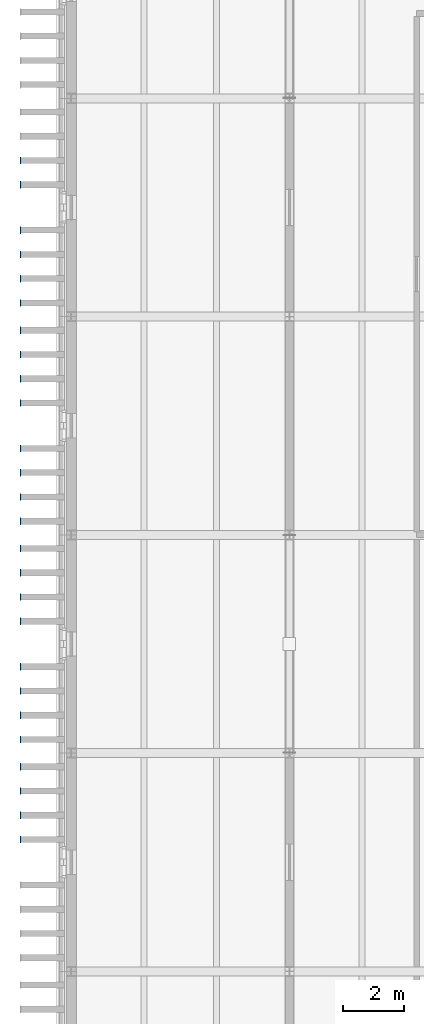
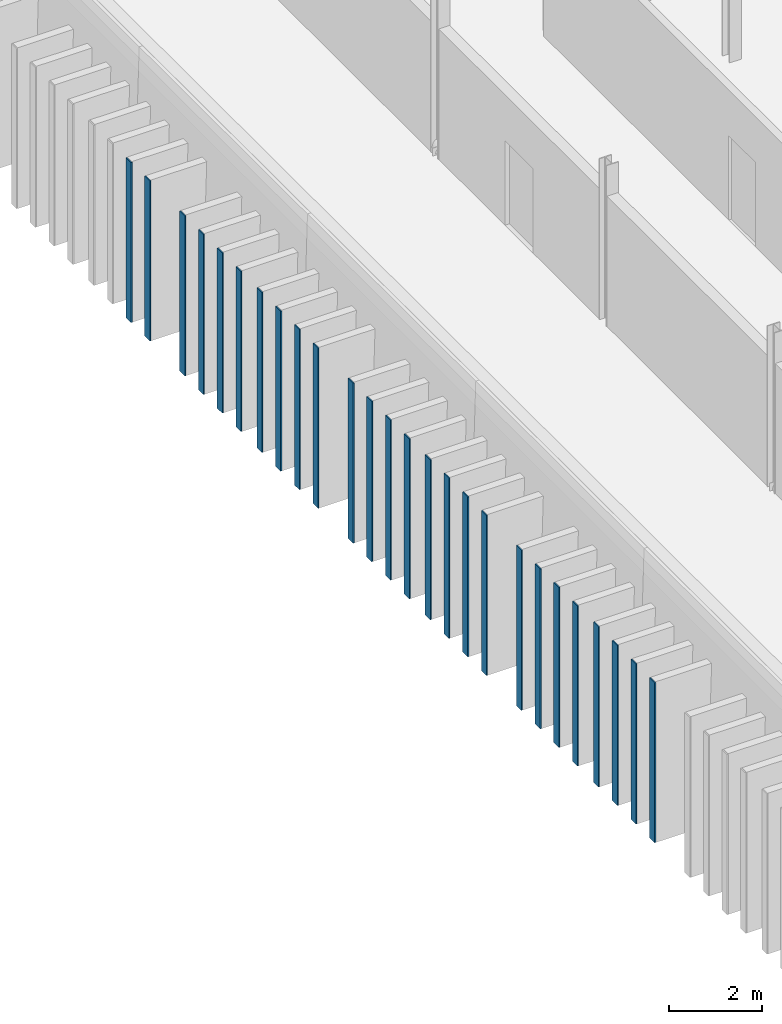
# One storey, part 16 of 44: 26 plates.
"""IFC4 building model written with IfcOpenShell, lengths in metres."""

import ifcopenshell
import ifcopenshell.guid

model = None  # the IFC model being written
_history = None  # IfcOwnerHistory: only IFC2X3 demands one
_inside = {}  # id of a spatial element -> (the spatial element, [elements in it])
_under = {}  # id of a project, library or spatial element -> (it, [spatial elements below it])
_declared = {}  # id of a project -> (the project, [libraries it declares])
_typed = {}  # id of a type object -> (the type object, [elements of that type])
_made_of = {}  # id of a material, layer set ... -> (it, [elements and type objects made of it])


def new_model(schema):
    """Start an empty IFC model of exactly this schema.

    Asked for "IFC4X3", IfcOpenShell would pick the latest addendum, in which some entities
    have other attributes; the version numbers below select the first issue.
    IFC2X3 requires an IfcOwnerHistory on every rooted entity: one is made here for all.
    """
    global model, _history
    if schema == "IFC4X3":
        model = ifcopenshell.file(schema_version=(4, 3, 0, 0))
    else:
        model = ifcopenshell.file(schema=schema)
    _inside.clear()
    _under.clear()
    _declared.clear()
    _typed.clear()
    _made_of.clear()
    _history = None
    if model.schema == "IFC2X3":
        org = make("IfcOrganization", Name="unknown")
        user = make(
            "IfcPersonAndOrganization",
            ThePerson=make("IfcPerson", FamilyName="unknown"),
            TheOrganization=org,
        )
        app = make(
            "IfcApplication",
            ApplicationDeveloper=org,
            Version="unknown",
            ApplicationFullName="unknown",
            ApplicationIdentifier="unknown",
        )
        _history = make(
            "IfcOwnerHistory",
            OwningUser=user,
            OwningApplication=app,
            ChangeAction="ADDED",
            CreationDate=0,
        )
    return model


def make(cls, **values):
    """One entity of the class cls with the attributes given. An attribute that is None is left unset."""
    return model.create_entity(
        cls, **{name: value for name, value in values.items() if value is not None}
    )


def rooted(cls, **values):
    """An entity with a GlobalId (a new one), such as an element, a storey or a relation."""
    return make(cls, GlobalId=ifcopenshell.guid.new(), OwnerHistory=_history, **values)


def si_unit(unit_type, name, prefix=None):
    """IfcSIUnit, for example si_unit("LENGTHUNIT", "METRE", prefix="MILLI")."""
    return make("IfcSIUnit", UnitType=unit_type, Prefix=prefix, Name=name)


def assignment(units):
    """IfcUnitAssignment: the units of a project."""
    return None if units is None else make("IfcUnitAssignment", Units=units)


def point(xyz):
    """IfcCartesianPoint."""
    return None if xyz is None else make("IfcCartesianPoint", Coordinates=xyz)


def direction(xyz):
    """IfcDirection."""
    return None if xyz is None else make("IfcDirection", DirectionRatios=xyz)


def frame(location, z_axis=None, x_axis=None):
    """IfcAxis2Placement3D, a coordinate frame: its origin and axes. An axis left out is left unset."""
    return make(
        "IfcAxis2Placement3D",
        Location=point(location),
        Axis=direction(z_axis),
        RefDirection=direction(x_axis),
    )


def frame_2d(location, x_axis=None):
    """IfcAxis2Placement2D, a coordinate frame in the plane: its origin and x axis."""
    return make(
        "IfcAxis2Placement2D", Location=point(location), RefDirection=direction(x_axis)
    )


def origin():
    """The frame at (0, 0, 0) with its axes left unset."""
    return frame((0.0, 0.0, 0.0))


def origin_2d():
    """The frame at (0, 0) in the plane with its x axis left unset."""
    return frame_2d((0.0, 0.0))


def place(relative_to, where):
    """IfcLocalPlacement: puts the frame where relative to a parent placement (None: the world)."""
    return make(
        "IfcLocalPlacement", PlacementRelTo=relative_to, RelativePlacement=where
    )


def context(
    kind, dimensions, precision=None, world=None, true_north=None, identifier=None
):
    """IfcGeometricRepresentationContext, for example the 3D "Model" context."""
    return make(
        "IfcGeometricRepresentationContext",
        ContextIdentifier=identifier,
        ContextType=kind,
        CoordinateSpaceDimension=dimensions,
        Precision=precision,
        WorldCoordinateSystem=world,
        TrueNorth=true_north,
    )


def subcontext(parent, identifier, kind, view, scale=None):
    """IfcGeometricRepresentationSubContext, for example "Body" below "Model"."""
    return make(
        "IfcGeometricRepresentationSubContext",
        ContextIdentifier=identifier,
        ContextType=kind,
        ParentContext=parent,
        TargetScale=scale,
        TargetView=view,
    )


def project(units=None, contexts=None):
    """IfcProject with its units and contexts."""
    return rooted(
        "IfcProject",
        Name="project",
        RepresentationContexts=contexts,
        UnitsInContext=assignment(units),
    )


def spatial(cls, under=None, at=None, **own):
    """A site, building, storey or space (cls), placed at a placement, below another one or the project."""
    s = rooted(cls, ObjectPlacement=at, **own)
    if under is not None:
        _under.setdefault(under.id(), (under, []))[1].append(s)
    return s


def profile(cls, at=None, kind="AREA", **sizes):
    """A parametric profile (cls). Its sizes go by their IFC names, for example OverallWidth=200.0."""
    return make(cls, ProfileType=kind, Position=at, **sizes)


def rectangle(**sizes):
    """IfcRectangleProfileDef."""
    return profile("IfcRectangleProfileDef", **sizes)


def extrude(swept, where, along, depth):
    """IfcExtrudedAreaSolid: the profile swept, set in the frame where, extruded along a direction by depth."""
    return make(
        "IfcExtrudedAreaSolid",
        SweptArea=swept,
        Position=where,
        ExtrudedDirection=direction(along),
        Depth=depth,
    )


def shape(context_of_items, identifier, shape_type, items):
    """IfcShapeRepresentation: the items that make up one representation, for example the "Body"."""
    return make(
        "IfcShapeRepresentation",
        ContextOfItems=context_of_items,
        RepresentationIdentifier=identifier,
        RepresentationType=shape_type,
        Items=items,
    )


def material(Name=None, Category=None):
    """IfcMaterial."""
    return make("IfcMaterial", Name=Name, Category=Category)


def layer(
    of_material, thickness, ventilated=None, Name=None, Category=None, Priority=None
):
    """IfcMaterialLayer: one layer of a wall or slab, of a material (None: an air gap)."""
    return make(
        "IfcMaterialLayer",
        Material=of_material,
        LayerThickness=thickness,
        IsVentilated=ventilated,
        Name=Name,
        Category=Category,
        Priority=Priority,
    )


def layer_set(layers, Name=None):
    """IfcMaterialLayerSet."""
    return make("IfcMaterialLayerSet", MaterialLayers=layers, LayerSetName=Name)


def made_of(thing, what):
    """Note that an element or type object is made of a material, layer set ...; save() writes the relation."""
    if what is not None:
        _made_of.setdefault(what.id(), (what, []))[1].append(thing)
    return thing


def type_object(cls, material=None, **own):
    """A type object (cls), such as IfcWallType, which elements share."""
    return made_of(rooted(cls, **own), material)


def element(
    cls,
    number,
    at=None,
    inside=None,
    cuts=None,
    type_object=None,
    material=None,
    context=None,
    identifier="Body",
    shape_type=None,
    held_by="IfcProductDefinitionShape",
    body=None,
    shapes=None,
    **own,
):
    """One element of the class cls, such as IfcWall. Its Tag is "e" and its number.

    at: its placement. inside: the storey or other place that contains it. cuts: it is an
    opening in that element (IfcRelVoidsElement). A single representation is given by context,
    identifier, shape_type and body (its items); several are given by shapes. held_by: the class
    of the entity that holds the representations. save() writes the other relations.
    """
    e = rooted(cls, Tag="e%d" % number, ObjectPlacement=at, **own)
    if body is not None:
        shapes = [shape(context, identifier, shape_type, body)]
    if shapes is not None:
        e.Representation = make(held_by, Representations=shapes)
    if inside is not None:
        _inside.setdefault(inside.id(), (inside, []))[1].append(e)
    if cuts is not None:
        rooted(
            "IfcRelVoidsElement", RelatingBuildingElement=cuts, RelatedOpeningElement=e
        )
    if type_object is not None:
        _typed.setdefault(type_object.id(), (type_object, []))[1].append(e)
    return made_of(e, material)


def aggregate(whole, parts):
    """IfcRelAggregates: a whole, such as a stair, and the parts it consists of."""
    return rooted("IfcRelAggregates", RelatingObject=whole, RelatedObjects=parts)


def save(model, path):
    """Write the relations noted so far, then the file.

    IfcRelAggregates (storeys below a building ...), IfcRelContainedInSpatialStructure (elements
    in a storey), IfcRelDefinesByType, IfcRelAssociatesMaterial and IfcRelDeclares: one each for
    every whole, place, type object, material and project.
    """
    for whole, parts in _under.values():
        aggregate(whole, parts)
    for where, things in _inside.values():
        rooted(
            "IfcRelContainedInSpatialStructure",
            RelatedElements=things,
            RelatingStructure=where,
        )
    for kind, things in _typed.values():
        rooted("IfcRelDefinesByType", RelatedObjects=things, RelatingType=kind)
    for what, things in _made_of.values():
        rooted("IfcRelAssociatesMaterial", RelatedObjects=things, RelatingMaterial=what)
    for by, libraries in _declared.values():
        rooted("IfcRelDeclares", RelatingContext=by, RelatedDefinitions=libraries)
    model.write(path)


model = new_model("IFC4")

# Units and contexts
model_context = context("Model", 3, precision=1e-05, world=origin(), true_north=direction((0.0, 1.0)))
body_context = subcontext(model_context, "Body", "Model", "MODEL_VIEW")
ifc_project = project(units=[si_unit("LENGTHUNIT", "METRE"), si_unit("AREAUNIT", "SQUARE_METRE"), si_unit("VOLUMEUNIT", "CUBIC_METRE"), si_unit("PLANEANGLEUNIT", "RADIAN"), si_unit("MASSUNIT", "GRAM", prefix="KILO")], contexts=[model_context])

# Site, building, storey
site_placement = place(None, origin())
site = spatial("IfcSite", under=ifc_project, at=site_placement, CompositionType="ELEMENT")
building_placement = place(site_placement, origin())
building = spatial("IfcBuilding", under=site, at=building_placement, Name="Narikvali Park Central Library", CompositionType="ELEMENT")
storey_placement = place(building_placement, frame((0.0, 0.0, 22.800048828125)))
storey = spatial("IfcBuildingStorey", under=building, at=storey_placement, Name="L05", CompositionType="ELEMENT", Elevation=22.800048828125)

# Plates
ifc_material = material(Name="Anodised Bronze Aluminium", Category="aluminium")
ifc_layer = layer(ifc_material, 0.028076171875, Name="Anodised Bronze Aluminium")
ifc_layer_set = layer_set([ifc_layer], Name="Anodised Bronze Aluminium")
plate_type = type_object("IfcPlateType", Name="Vertical Brick Fin Bronze Bullnose Cap 28", PredefinedType="SHEET", material=ifc_layer_set)
for number, where, z_axis, x_axis, name in (
    (1, (-1.672119140625, 69.14990234375, 0.009765625), (0.0, 0.0, 1.0), (1.0, 0.0, 0.0), "West Stacks Fin Bullnose Trim 246"),
    (2, (-1.672119140625, 69.949951171875, 0.009765625), (0.0, 0.0, 1.0), (1.0, 0.0, 0.0), "West Stacks Fin Bullnose Trim 252"),
    (3, (-1.672119140625, 70.75, 0.009765625), (0.0, 0.0, 1.0), (1.0, 0.0, 0.0), "West Stacks Fin Bullnose Trim 258"),
    (4, (-1.672119140625, 71.550048828125, 0.009765625), (0.0, 0.0, 1.0), (1.0, 0.0, 0.0), "West Stacks Fin Bullnose Trim 264"),
    (5, (-1.672119140625, 72.449951171875, 0.009765625), (0.0, 0.0, 1.0), (1.0, 0.0, 0.0), "West Stacks Fin Bullnose Trim 270"),
    (6, (-1.672119140625, 73.25, 0.009765625), (0.0, 0.0, 1.0), (1.0, 0.0, 0.0), "West Stacks Fin Bullnose Trim 276"),
    (7, (-1.672119140625, 74.050048828125, 0.009765625), (0.0, 0.0, 1.0), (1.0, 0.0, 0.0), "West Stacks Fin Bullnose Trim 282"),
    (8, (-1.672119140625, 74.85009765625, 0.009765625), (0.0, 0.0, 1.0), (1.0, 0.0, 0.0), "West Stacks Fin Bullnose Trim 288"),
    (9, (-1.672119140625, 76.35009765625, 0.009765625), (0.0, 0.0, 1.0), (1.0, 0.0, 0.0), "West Stacks Fin Bullnose Trim 294"),
    (10, (-1.672119140625, 77.14990234375, 0.009765625), (0.0, 0.0, 1.0), (1.0, 0.0, 0.0), "West Stacks Fin Bullnose Trim 300"),
    (11, (-1.672119140625, 77.949951171875, 0.009765625), (0.0, 0.0, 1.0), (1.0, 0.0, 0.0), "West Stacks Fin Bullnose Trim 306"),
    (12, (-1.672119140625, 78.75, 0.009765625), (0.0, 0.0, 1.0), (1.0, 0.0, 0.0), "West Stacks Fin Bullnose Trim 312"),
    (13, (-1.672119140625, 79.64990234375, 0.009765625), (0.0, 0.0, 1.0), (1.0, 0.0, 0.0), "West Stacks Fin Bullnose Trim 318"),
    (14, (-1.672119140625, 80.449951171875, 0.009765625), (0.0, 0.0, 1.0), (1.0, 0.0, 0.0), "West Stacks Fin Bullnose Trim 324"),
    (15, (-1.672119140625, 81.25, 0.009765625), (0.0, 0.0, 1.0), (1.0, 0.0, 0.0), "West Stacks Fin Bullnose Trim 330"),
    (16, (-1.672119140625, 82.050048828125, 0.009765625), (0.0, 0.0, 1.0), (1.0, 0.0, 0.0), "West Stacks Fin Bullnose Trim 336"),
    (17, (-1.672119140625, 83.550048828125, 0.009765625), (0.0, 0.0, 1.0), (1.0, 0.0, 0.0), "West Stacks Fin Bullnose Trim 342"),
    (18, (-1.672119140625, 84.35009765625, 0.009765625), (0.0, 0.0, 1.0), (1.0, 0.0, 0.0), "West Stacks Fin Bullnose Trim 348"),
    (19, (-1.672119140625, 85.14990234375, 0.009765625), (0.0, 0.0, 1.0), (1.0, 0.0, 0.0), "West Stacks Fin Bullnose Trim 354"),
    (20, (-1.672119140625, 85.949951171875, 0.009765625), (0.0, 0.0, 1.0), (1.0, 0.0, 0.0), "West Stacks Fin Bullnose Trim 360"),
    (21, (-1.672119140625, 86.85009765625, 0.009765625), (0.0, 0.0, 1.0), (1.0, 0.0, 0.0), "West Stacks Fin Bullnose Trim 366"),
    (22, (-1.672119140625, 87.64990234375, 0.009765625), (0.0, 0.0, 1.0), (1.0, 0.0, 0.0), "West Stacks Fin Bullnose Trim 372"),
    (23, (-1.672119140625, 88.449951171875, 0.009765625), (0.0, 0.0, 1.0), (1.0, 0.0, 0.0), "West Stacks Fin Bullnose Trim 378"),
    (24, (-1.672119140625, 89.25, 0.009765625), (0.0, 0.0, 1.0), (1.0, 0.0, 0.0), "West Stacks Fin Bullnose Trim 384"),
    (25, (-1.672119140625, 90.75, 0.009765625), (0.0, 0.0, 1.0), (1.0, 0.0, 0.0), "West Stacks Fin Bullnose Trim 390"),
    (26, (-1.672119140625, 91.550048828125, 0.009765625), (0.0, 0.0, 1.0), (1.0, 0.0, 0.0), "West Stacks Fin Bullnose Trim 396"),
):
    element("IfcPlate", number, at=place(storey_placement, frame(where, z_axis=z_axis, x_axis=x_axis)), inside=storey, type_object=plate_type, Name=name, PredefinedType="SHEET", context=body_context, shape_type="SweptSolid", body=[
        extrude(rectangle(XDim=0.028076171875, YDim=0.219970703125, at=origin_2d()), origin(), (0.0, 0.0, 1.0), 4.179931640625),
    ])

save(model, "model.ifc")
